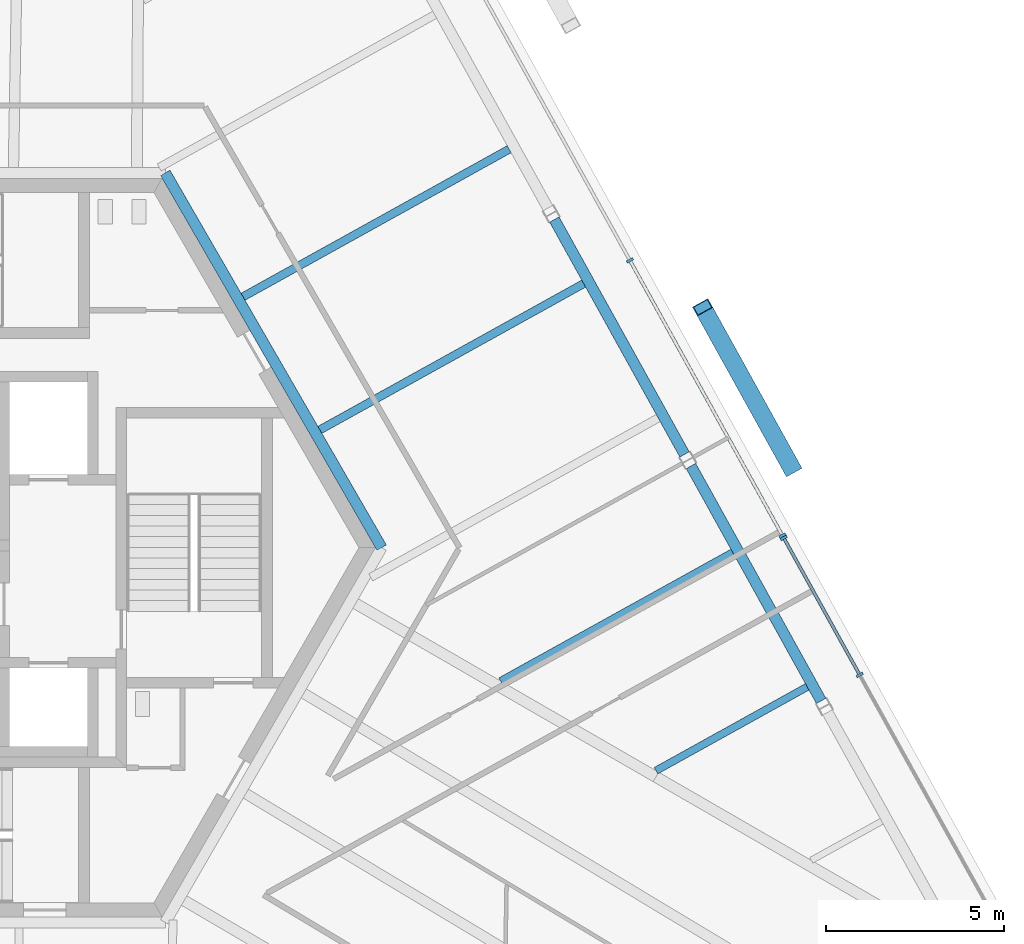
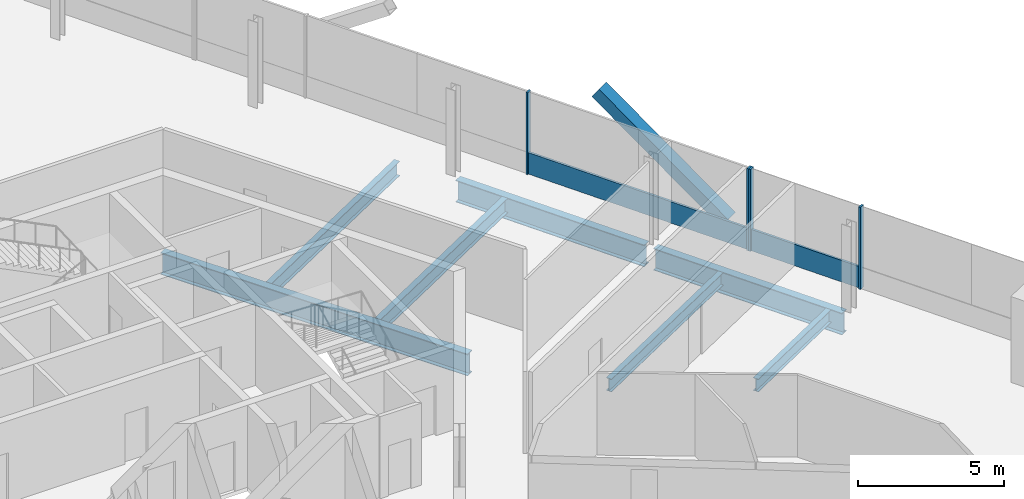
# One storey, part 7 of 18: 7 beams, 7 members, 2 elements without a shape of their own.
"""IFC4 building model written with IfcOpenShell, lengths in metres."""

from ifc_helpers import new_model, si_unit, direction, frame, origin, origin_2d, place, context, subcontext, project, spatial, rectangle, hollow_rectangle, i_section, extrude, source, transform, mapped, material, material_profile, profile_set, type_object, element, aggregate, save


model = new_model("IFC4")

# Units and contexts
model_context = context("Model", 3, precision=1e-05, world=origin(), true_north=direction((0.0, 1.0)))
body_context = subcontext(model_context, "Body", "Model", "MODEL_VIEW")
ifc_project = project(units=[si_unit("LENGTHUNIT", "METRE"), si_unit("AREAUNIT", "SQUARE_METRE"), si_unit("VOLUMEUNIT", "CUBIC_METRE"), si_unit("PLANEANGLEUNIT", "RADIAN"), si_unit("MASSUNIT", "GRAM", prefix="KILO")], contexts=[model_context])

# Site, building, storey
site_placement = place(None, origin())
site = spatial("IfcSite", under=ifc_project, at=site_placement, CompositionType="ELEMENT")
building_placement = place(site_placement, origin())
building = spatial("IfcBuilding", under=site, at=building_placement, Name="Triune Harvest Tower", CompositionType="ELEMENT")
storey_placement = place(building_placement, frame((0.0, 0.0, 190.699951171875)))
storey = spatial("IfcBuildingStorey", under=building, at=storey_placement, Name="L49", CompositionType="ELEMENT", Elevation=190.699951171875)

# Beams
ifc_material_1 = material(Name="Steel ASTM A992 Gr 50", Category="steel")
ifc_material_profile_1 = material_profile(ifc_material_1, i_section(OverallWidth=0.3046875, OverallDepth=0.914306640625, WebThickness=0.0166015625, FlangeThickness=0.02587890625, at=origin_2d()), Name="W36x160")
ifc_profile_set_1 = profile_set([ifc_material_profile_1], Name="Steel ASTM A992 Gr 50")
beam_type_1 = type_object("IfcBeamType", Name="CG-1 Core ring girder W36x160", PredefinedType="BEAM", material=ifc_profile_set_1)
shared_shape_1 = source(origin(), body_context, "Body", "SweptSolid", [
    extrude(i_section(OverallWidth=0.3046875, OverallDepth=0.914306640625, WebThickness=0.0166015625, FlangeThickness=0.02587890625, at=origin_2d()), origin(), (0.0, 0.0, 1.0), 12.176025390625),
])
beam_1_placement = place(storey_placement, frame((12.176025390625, 0.0, -0.6171875), z_axis=(-0.5000099932, 0.866019634131, 0.0), x_axis=(-0.866019634131, -0.5000099932, 0.0)))
element("IfcBeam", 1, at=beam_1_placement, inside=storey, type_object=beam_type_1, Name="beam/L49/CG1", PredefinedType="BEAM", context=body_context, shape_type="MappedRepresentation", body=[
    mapped(shared_shape_1, transform((0.0, 0.0, 0.0), scale=1.0)),
])
ifc_material_2 = material(Name="Steel ASTM A992 Gr 50", Category="steel")
ifc_material_profile_2 = material_profile(ifc_material_2, i_section(OverallWidth=0.3046875, OverallDepth=0.914306640625, WebThickness=0.0166015625, FlangeThickness=0.02587890625, at=origin_2d()), Name="W36x160")
ifc_profile_set_2 = profile_set([ifc_material_profile_2], Name="Steel ASTM A992 Gr 50")
beam_type_2 = type_object("IfcBeamType", Name="SB-1 Spandrel beam W36x160", PredefinedType="SPANDREL", material=ifc_profile_set_2)
shared_shape_2 = source(origin(), body_context, "Body", "SweptSolid", [
    extrude(i_section(OverallWidth=0.3046875, OverallDepth=0.914306640625, WebThickness=0.0166015625, FlangeThickness=0.02587890625, at=origin_2d()), origin(), (0.0, 0.0, 1.0), 7.556396484375),
])
for number, where, z_axis, x_axis, name in (
    (2, (24.542236328125, -4.311279296875, -0.6171875), (-0.484806011206, 0.874621707654, 0.0), (-0.874621707654, -0.484806011206, 0.0), "beam/L49/SB2"),
    (3, (20.698974609375, 2.6220703125, -0.6171875), (-0.484806011206, 0.874621707654, 0.0), (-0.874621707654, -0.484806011206, 0.0), "beam/L49/SB3"),
):
    element("IfcBeam", number, at=place(storey_placement, frame(where, z_axis=z_axis, x_axis=x_axis)), inside=storey, type_object=beam_type_2, Name=name, PredefinedType="SPANDREL", context=body_context, shape_type="MappedRepresentation", body=[
        mapped(shared_shape_2, transform((0.0, 0.0, 0.0), scale=1.0)),
    ])
ifc_material_3 = material(Name="Steel ASTM A992 Gr 50", Category="steel")
ifc_material_profile_3 = material_profile(ifc_material_3, i_section(OverallWidth=0.2099609375, OverallDepth=0.535888671875, WebThickness=0.010986328125, FlangeThickness=0.017333984375, at=origin_2d()), Name="W21x68")
ifc_profile_set_3 = profile_set([ifc_material_profile_3], Name="Steel ASTM A992 Gr 50")
beam_type_3 = type_object("IfcBeamType", Name="JT-2 Floor joist W21x68", PredefinedType="JOIST", material=ifc_profile_set_3)
shared_shape_3 = source(origin(), body_context, "Body", "SweptSolid", [
    extrude(i_section(OverallWidth=0.2099609375, OverallDepth=0.535888671875, WebThickness=0.010986328125, FlangeThickness=0.017333984375, at=origin_2d()), origin(), (0.0, 0.0, 1.0), 4.8642578125),
])
beam_2_placement = place(storey_placement, frame((24.1494140625, -3.9169921875, -0.427978515625), z_axis=(-0.874606715021, -0.484833057908, 0.0), x_axis=(0.484833057908, -0.874606715021, 0.0)))
element("IfcBeam", 4, at=beam_2_placement, inside=storey, type_object=beam_type_3, Name="beam/L49/JT2", PredefinedType="JOIST", context=body_context, shape_type="MappedRepresentation", body=[
    mapped(shared_shape_3, transform((0.0, 0.0, 0.0), scale=1.0)),
])
shared_shape_4 = source(origin(), body_context, "Body", "SweptSolid", [
    extrude(i_section(OverallWidth=0.2099609375, OverallDepth=0.535888671875, WebThickness=0.010986328125, FlangeThickness=0.017333984375, at=origin_2d()), origin(), (0.0, 0.0, 1.0), 7.46240234375),
])
beam_3_placement = place(storey_placement, frame((22.052978515625, -0.13525390625, -0.427978515625), z_axis=(-0.87461829469, -0.484812168363, 0.0), x_axis=(0.484812168363, -0.87461829469, 0.0)))
element("IfcBeam", 5, at=beam_3_placement, inside=storey, type_object=beam_type_3, Name="beam/L49/JT3", PredefinedType="JOIST", context=body_context, shape_type="MappedRepresentation", body=[
    mapped(shared_shape_4, transform((0.0, 0.0, 0.0), scale=1.0)),
])
ifc_material_4 = material(Name="Steel ASTM A992 Gr 50", Category="steel")
ifc_material_profile_4 = material_profile(ifc_material_4, i_section(OverallWidth=0.22900390625, OverallDepth=0.612060546875, WebThickness=0.011962890625, FlangeThickness=0.01953125, at=origin_2d()), Name="W24x84")
ifc_profile_set_4 = profile_set([ifc_material_profile_4], Name="Steel ASTM A992 Gr 50")
beam_type_4 = type_object("IfcBeamType", Name="JT-3 Floor joist W24x84", PredefinedType="JOIST", material=ifc_profile_set_4)
shared_shape_5 = source(origin(), body_context, "Body", "SweptSolid", [
    extrude(i_section(OverallWidth=0.22900390625, OverallDepth=0.612060546875, WebThickness=0.011962890625, FlangeThickness=0.01953125, at=origin_2d()), origin(), (0.0, 0.0, 1.0), 8.486083984375),
])
beam_4_placement = place(storey_placement, frame((17.860595703125, 7.42822265625, -0.466064453125), z_axis=(-0.874626410095, -0.484797527598, 0.0), x_axis=(0.484797527598, -0.874626410095, 0.0)))
element("IfcBeam", 6, at=beam_4_placement, inside=storey, type_object=beam_type_4, Name="beam/L49/JT5", PredefinedType="JOIST", context=body_context, shape_type="MappedRepresentation", body=[
    mapped(shared_shape_5, transform((0.0, 0.0, 0.0), scale=1.0)),
])
shared_shape_6 = source(origin(), body_context, "Body", "SweptSolid", [
    extrude(i_section(OverallWidth=0.22900390625, OverallDepth=0.612060546875, WebThickness=0.011962890625, FlangeThickness=0.01953125, at=origin_2d()), origin(), (0.0, 0.0, 1.0), 8.561767578125),
])
beam_5_placement = place(storey_placement, frame((15.764404296875, 11.210205078125, -0.466064453125), z_axis=(-0.87461689263, -0.484814697721, 0.0), x_axis=(0.484814697721, -0.87461689263, 0.0)))
element("IfcBeam", 7, at=beam_5_placement, inside=storey, type_object=beam_type_4, Name="beam/L49/JT6", PredefinedType="JOIST", context=body_context, shape_type="MappedRepresentation", body=[
    mapped(shared_shape_6, transform((0.0, 0.0, 0.0), scale=1.0)),
])

# Member
ifc_material_5 = material(Name="Steel ASTM A572 Gr 50", Category="steel")
ifc_material_profile_5 = material_profile(ifc_material_5, hollow_rectangle(XDim=0.5, YDim=0.5, WallThickness=0.030029296875, at=origin_2d()), Name="Box 500x500x30")
ifc_profile_set_5 = profile_set([ifc_material_profile_5], Name="Steel ASTM A572 Gr 50")
member_type_1 = type_object("IfcMemberType", Name="BR-3 Brace Box 500x500x30", PredefinedType="BRACE", material=ifc_profile_set_5)
shared_shape_7 = source(origin(), body_context, "Body", "SweptSolid", [
    extrude(hollow_rectangle(XDim=0.5, YDim=0.5, WallThickness=0.030029296875, at=origin_2d()), origin(), (0.0, 0.0, 1.0), 6.302978515625),
])
member_1_placement = place(storey_placement, frame((23.71533203125, 2.23828125, 0.0), z_axis=(-0.397957445463, 0.717903766226, 0.571177777963), x_axis=(-0.874610982048, -0.484825360395, 0.0)))
element("IfcMember", 8, at=member_1_placement, inside=storey, type_object=member_type_1, Name="brace/B5-F1/d1/4", PredefinedType="BRACE", context=body_context, shape_type="MappedRepresentation", body=[
    mapped(shared_shape_7, transform((0.0, 0.0, 0.0), scale=1.0)),
])

# Curtain wall, members
ifc_material_6 = material(Name="Aluminium bronze anodised", Category="aluminium")
curtain_wall_type_1 = type_object("IfcCurtainWallType", Name="CW-1 Tower stick curtain wall", PredefinedType="NOTDEFINED", material=ifc_material_6)
curtain_wall_1_placement = place(storey_placement, origin())
curtain_wall_1 = element("IfcCurtainWall", 9, at=curtain_wall_1_placement, inside=storey, type_object=curtain_wall_type_1, Name="CW-1 B5-F1 L49 run 1")
ifc_material_7 = material(Name="Aluminium bronze anodised", Category="aluminium")
ifc_material_profile_6 = material_profile(ifc_material_7, rectangle(XDim=0.199951171875, YDim=0.074951171875, at=origin_2d()), Name="MU-1 mullion 75 x 200")
ifc_profile_set_6 = profile_set([ifc_material_profile_6], Name="Aluminium bronze anodised")
member_type_2 = type_object("IfcMemberType", Name="MU-1 mullion 75 x 200", PredefinedType="MULLION", material=ifc_profile_set_6)
shared_shape_8 = source(origin(), body_context, "Body", "SweptSolid", [
    extrude(rectangle(XDim=0.199951171875, YDim=0.074951171875, at=origin_2d()), origin(), (0.0, 0.0, 1.0), 3.43994140625),
])
member_2_placement = place(storey_placement, frame((25.625732421875, -3.580322265625, 0.0), z_axis=(0.0, 0.0, 1.0), x_axis=(-0.874620747076, -0.484807744147, 0.0)))
member_2 = element("IfcMember", 10, at=member_2_placement, type_object=member_type_2, Name="CW-1 mullion B5-F1 1.3", PredefinedType="MULLION", context=body_context, shape_type="MappedRepresentation", body=[
    mapped(shared_shape_8, transform((0.0, 0.0, 0.0), scale=1.0)),
])
member_3_placement = place(storey_placement, frame((23.4892578125, 0.27392578125, 0.0), z_axis=(0.0, 0.0, 1.0), x_axis=(-0.874620747076, -0.484807744147, 0.0)))
member_3 = element("IfcMember", 11, at=member_3_placement, type_object=member_type_2, Name="CW-1 mullion B5-F1 1.4", PredefinedType="MULLION", context=body_context, shape_type="MappedRepresentation", body=[
    mapped(shared_shape_8, transform((0.0, 0.0, 0.0), scale=1.0)),
])

ifc_material_8 = material(Name="Aluminium bronze anodised", Category="aluminium")
curtain_wall_type_2 = type_object("IfcCurtainWallType", Name="CW-7 Tower stick curtain wall with insulated spandrel infill", PredefinedType="NOTDEFINED", material=ifc_material_8)
curtain_wall_2_placement = place(storey_placement, origin())
curtain_wall_2 = element("IfcCurtainWall", 12, at=curtain_wall_2_placement, inside=storey, type_object=curtain_wall_type_2, Name="CW-7 B5-F1 L49 run 1001")
member_4_placement = place(storey_placement, frame((23.452880859375, 0.339599609375, 0.0), z_axis=(0.0, 0.0, 1.0), x_axis=(-0.874619845993, -0.484809369748, 0.0)))
member_4 = element("IfcMember", 13, at=member_4_placement, type_object=member_type_2, Name="CW-7 mullion B5-F1 1001.1", PredefinedType="MULLION", context=body_context, shape_type="MappedRepresentation", body=[
    mapped(shared_shape_8, transform((0.0, 0.0, 0.0), scale=1.0)),
])
member_5_placement = place(storey_placement, frame((19.161865234375, 8.080810546875, 0.0), z_axis=(0.0, 0.0, 1.0), x_axis=(-0.874619845993, -0.484809369748, 0.0)))
member_5 = element("IfcMember", 14, at=member_5_placement, type_object=member_type_2, Name="CW-7 mullion B5-F1 1001.3", PredefinedType="MULLION", context=body_context, shape_type="MappedRepresentation", body=[
    mapped(shared_shape_8, transform((0.0, 0.0, 0.0), scale=1.0)),
])
ifc_material_9 = material(Name="Aluminium bronze anodised", Category="aluminium")
ifc_material_profile_7 = material_profile(ifc_material_9, rectangle(XDim=0.090087890625, YDim=0.89990234375, at=origin_2d()), Name="TR-1 transom 90 x 900")
ifc_profile_set_7 = profile_set([ifc_material_profile_7], Name="Aluminium bronze anodised")
member_type_3 = type_object("IfcMemberType", Name="TR-1 transom 90 x 900", PredefinedType="USERDEFINED", material=ifc_profile_set_7)
shared_shape_9 = source(origin(), body_context, "Body", "SweptSolid", [
    extrude(rectangle(XDim=0.090087890625, YDim=0.89990234375, at=origin_2d()), origin(), (0.0, 0.0, 1.0), 8.776123046875),
])
member_6_placement = place(storey_placement, frame((23.434814453125, 0.372314453125, 0.449951171875), z_axis=(-0.484820758648, 0.87461353293, 0.0), x_axis=(-0.87461353293, -0.484820758648, 0.0)))
member_6 = element("IfcMember", 15, at=member_6_placement, type_object=member_type_3, Name="CW-7 transom B5-F1 1001.1", ObjectType="TRANSOM", PredefinedType="USERDEFINED", context=body_context, shape_type="MappedRepresentation", body=[
    mapped(shared_shape_9, transform((0.0, 0.0, 0.0), scale=1.0)),
])
aggregate(curtain_wall_2, [member_4, member_5, member_6])

# Member
shared_shape_10 = source(origin(), body_context, "Body", "SweptSolid", [
    extrude(rectangle(XDim=0.090087890625, YDim=0.89990234375, at=origin_2d()), origin(), (0.0, 0.0, 1.0), 4.33154296875),
])
member_7_placement = place(storey_placement, frame((25.607421875, -3.54736328125, 0.449951171875), z_axis=(-0.484776513386, 0.874638057752, 0.0), x_axis=(-0.874638057752, -0.484776513386, 0.0)))
member_7 = element("IfcMember", 16, at=member_7_placement, type_object=member_type_3, Name="CW-1 transom B5-F1 1.2", ObjectType="TRANSOM", PredefinedType="USERDEFINED", context=body_context, shape_type="MappedRepresentation", body=[
    mapped(shared_shape_10, transform((0.0, 0.0, 0.0), scale=1.0)),
])

aggregate(curtain_wall_1, [member_2, member_3, member_7])

save(model, "model.ifc")
